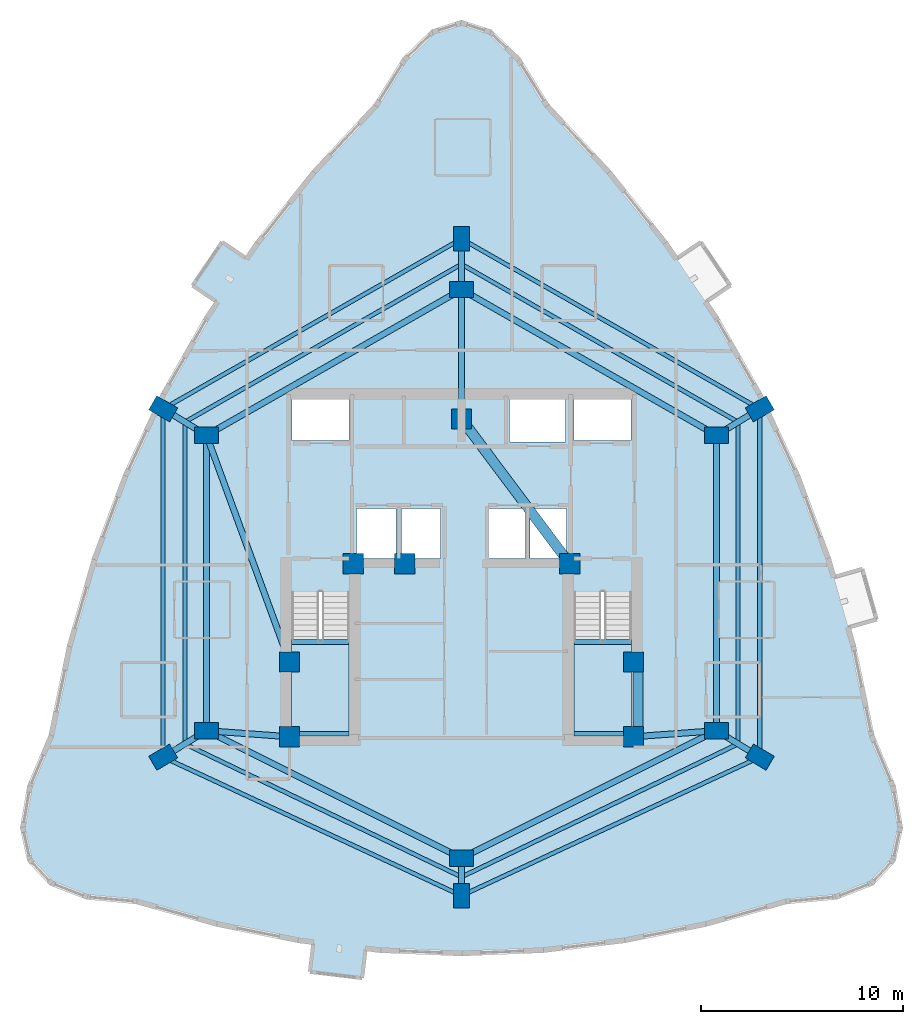
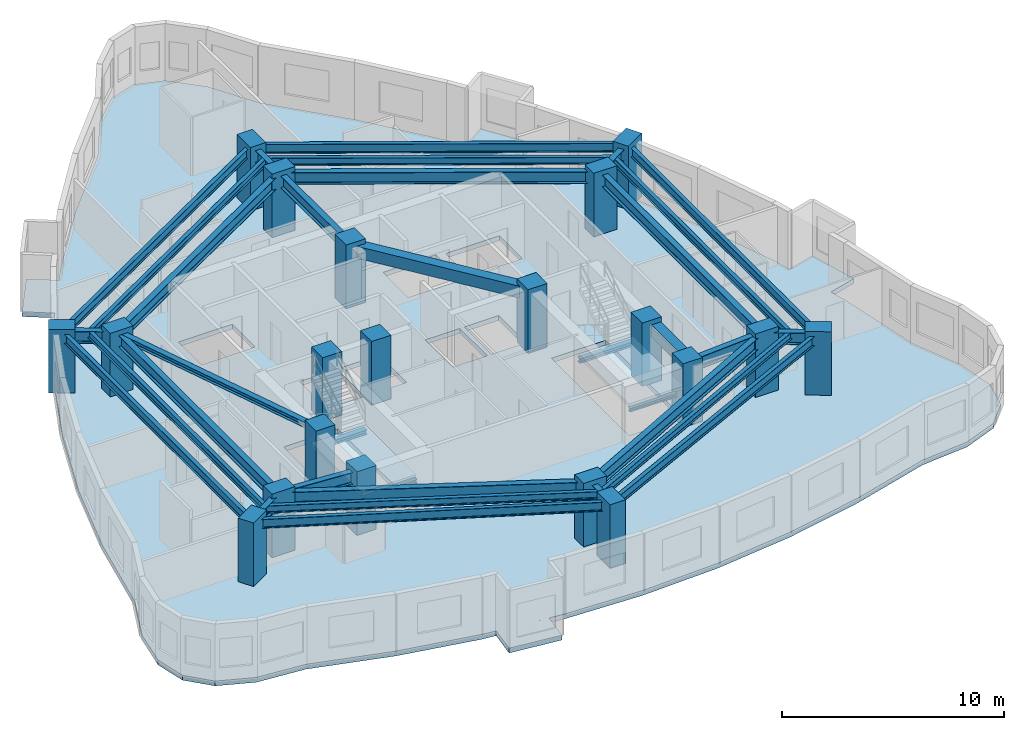
# One storey, part 1 of 9: 34 beams, 20 columns, 3 slabs, 2 elements without a shape of their own.
"""IFC4 building model written with IfcOpenShell, lengths in metres."""

from ifc_helpers import new_model, si_unit, direction, frame, origin, origin_2d, place, context, subcontext, project, spatial, polyline, rectangle, i_section, outline, extrude, material, layer, layer_set, material_profile, profile_set, type_object, element, aggregate, save


model = new_model("IFC4")

# Units and contexts
model_context = context("Model", 3, precision=1e-05, world=origin(), true_north=direction((0.0, 1.0)))
body_context = subcontext(model_context, "Body", "Model", "MODEL_VIEW")
ifc_project = project(units=[si_unit("LENGTHUNIT", "METRE"), si_unit("AREAUNIT", "SQUARE_METRE"), si_unit("VOLUMEUNIT", "CUBIC_METRE"), si_unit("PLANEANGLEUNIT", "RADIAN"), si_unit("MASSUNIT", "GRAM", prefix="KILO")], contexts=[model_context])

# Site, building, storey
site_placement = place(None, origin())
site = spatial("IfcSite", under=ifc_project, at=site_placement, CompositionType="ELEMENT")
building_placement = place(site_placement, origin())
building = spatial("IfcBuilding", under=site, at=building_placement, Name="Miruveldt Soraemaru", CompositionType="ELEMENT")
storey_placement = place(building_placement, frame((0.0, 0.0, 138.89990234375)))
storey = spatial("IfcBuildingStorey", under=building, at=storey_placement, Name="L38", CompositionType="ELEMENT", Elevation=138.89990234375)

# Columns
ifc_material_1 = material(Name="Concrete C60/75 (60 MPa)", Category="concrete")
ifc_material_profile_1 = material_profile(ifc_material_1, rectangle(XDim=1.0, YDim=1.0, at=origin_2d()), Name="Concrete C60/75 (60 MPa)", Category="concrete")
ifc_profile_set_1 = profile_set([ifc_material_profile_1], Name="Concrete C60/75 (60 MPa)")
column_type_1 = type_object("IfcColumnType", Name="COL-CORE-1000", PredefinedType="COLUMN", material=ifc_profile_set_1)
for number, where, z_axis, x_axis, name in (
    (1, (35.5, 35.5, 0.0), (0.0, 0.0, 1.0), (1.0, 0.0, 0.0), "L38 Structural Column CC1"),
    (2, (38.64990234375, 44.050048828125, 0.0), (0.0, 0.0, 1.0), (1.0, 0.0, 0.0), "L38 Structural Column CC2"),
    (3, (52.5, 35.5, 0.0), (0.0, 0.0, 1.0), (1.0, 0.0, 0.0), "L38 Structural Column CC3"),
    (4, (52.5, 39.199951171875, 0.0), (0.0, 0.0, 1.0), (1.0, 0.0, 0.0), "L38 Structural Column CC4"),
    (5, (49.35009765625, 44.050048828125, 0.0), (0.0, 0.0, 1.0), (1.0, 0.0, 0.0), "L38 Structural Column CC5"),
    (6, (44.0, 51.199951171875, 0.0), (0.0, 0.0, 1.0), (1.0, 0.0, 0.0), "L38 Structural Column CC6"),
    (7, (35.5, 39.199951171875, 0.0), (0.0, 0.0, 1.0), (1.0, 0.0, 0.0), "L38 Structural Column CC7"),
    (8, (41.199951171875, 44.050048828125, 0.0), (0.0, 0.0, 1.0), (1.0, 0.0, 0.0), "L38 Structural Column CC8"),
):
    element("IfcColumn", number, at=place(storey_placement, frame(where, z_axis=z_axis, x_axis=x_axis)), inside=storey, type_object=column_type_1, Name=name, PredefinedType="COLUMN", context=body_context, shape_type="SweptSolid", body=[
        extrude(rectangle(XDim=1.0, YDim=1.0, at=origin_2d()), origin(), (0.0, 0.0, 1.0), 3.5),
    ])
ifc_material_2 = material(Name="Concrete C70/85 (70 MPa)", Category="concrete")
ifc_material_profile_2 = material_profile(ifc_material_2, rectangle(XDim=1.199951171875, YDim=0.800048828125, at=origin_2d()), Name="Concrete C70/85 (70 MPa)", Category="concrete")
ifc_profile_set_2 = profile_set([ifc_material_profile_2], Name="Concrete C70/85 (70 MPa)")
column_type_2 = type_object("IfcColumnType", Name="COL-TW-Z2", PredefinedType="COLUMN", material=ifc_profile_set_2)
for number, where, z_axis, x_axis, name in (
    (9, (44.0, 57.60009765625, 0.0), (0.0, 0.0, 1.0), (1.0, 0.0, 0.0), "L38 Structural Column IR01"),
    (10, (56.60009765625, 50.39990234375, 0.0), (0.0, 0.0, 1.0), (1.0, 0.0, 0.0), "L38 Structural Column IR02"),
    (11, (56.60009765625, 35.800048828125, 0.0), (0.0, 0.0, 1.0), (1.0, 0.0, 0.0), "L38 Structural Column IR03"),
    (12, (44.0, 29.5, 0.0), (0.0, 0.0, 1.0), (1.0, 0.0, 0.0), "L38 Structural Column IR04"),
    (13, (31.39990234375, 35.800048828125, 0.0), (0.0, 0.0, 1.0), (1.0, 0.0, 0.0), "L38 Structural Column IR05"),
    (14, (31.39990234375, 50.39990234375, 0.0), (0.0, 0.0, 1.0), (1.0, 0.0, 0.0), "L38 Structural Column IR06"),
    (15, (44.0, 60.10595703125, 0.0), (0.0, 0.0, 1.0), (0.0, 1.0, 0.0), "L38 Structural Column Z2P01"),
    (16, (58.739990234375, 51.705078125, 0.0), (0.0, 0.0, 1.0), (0.866025403784, 0.5, 0.0), "L38 Structural Column Z2P02"),
    (17, (58.739990234375, 34.4951171875, 0.0), (0.0, 0.0, 1.0), (-0.860742027004, 0.50904141575, 0.0), "L38 Structural Column Z2P03"),
    (18, (44.0, 27.64697265625, 0.0), (0.0, 0.0, 1.0), (0.0, 1.0, 0.0), "L38 Structural Column Z2P04"),
    (19, (29.260009765625, 34.4951171875, 0.0), (0.0, 0.0, 1.0), (0.860742027004, 0.50904141575, 0.0), "L38 Structural Column Z2P05"),
    (20, (29.260009765625, 51.705078125, 0.0), (0.0, 0.0, 1.0), (-0.866025403784, 0.5, 0.0), "L38 Structural Column Z2P06"),
):
    element("IfcColumn", number, at=place(storey_placement, frame(where, z_axis=z_axis, x_axis=x_axis)), inside=storey, type_object=column_type_2, Name=name, PredefinedType="COLUMN", context=body_context, shape_type="SweptSolid", body=[
        extrude(rectangle(XDim=1.199951171875, YDim=0.800048828125, at=origin_2d()), origin(), (0.0, 0.0, 1.0), 3.5),
    ])

# Beams
ifc_material_3 = material(Name="Steel SM355 (355 MPa)", Category="steel")
ifc_material_profile_3 = material_profile(ifc_material_3, i_section(OverallWidth=0.300048828125, OverallDepth=0.300048828125, WebThickness=0.010009765625, FlangeThickness=0.014892578125, FilletRadius=0.01806640625, at=origin_2d()), Name="Steel SM355 (355 MPa)", Category="steel")
ifc_profile_set_3 = profile_set([ifc_material_profile_3], Name="Steel SM355 (355 MPa)")
beam_type_1 = type_object("IfcBeamType", Name="BM-LNT-H300", PredefinedType="LINTEL", material=ifc_profile_set_3)
beam_1_placement = place(storey_placement, frame((31.39990234375, 50.39990234375, 3.085205078125), z_axis=(0.343770424598, -0.939053723262, 0.0), x_axis=(0.939053723262, 0.343770424598, 0.0)))
element("IfcBeam", 21, at=beam_1_placement, inside=storey, type_object=beam_type_1, Name="L38 West Lobby Lintel", PredefinedType="LINTEL", context=body_context, shape_type="SweptSolid", body=[
    extrude(i_section(OverallWidth=0.300048828125, OverallDepth=0.300048828125, WebThickness=0.010009765625, FlangeThickness=0.014892578125, FilletRadius=0.01806640625, at=origin_2d()), origin(), (0.0, 0.0, 1.0), 11.9267578125),
])
ifc_material_4 = material(Name="Concrete C50/60 (50 MPa)", Category="concrete")
ifc_material_profile_4 = material_profile(ifc_material_4, rectangle(XDim=0.5, YDim=0.64990234375, at=origin_2d()), Name="Concrete C50/60 (50 MPa)", Category="concrete")
ifc_profile_set_4 = profile_set([ifc_material_profile_4], Name="Concrete C50/60 (50 MPa)")
beam_type_2 = type_object("IfcBeamType", Name="BM-RC-500x650", PredefinedType="BEAM", material=ifc_profile_set_4)
beam_2_placement = place(storey_placement, frame((52.72998046875, 35.5, 2.91015625), z_axis=(0.0, 1.0, 0.0), x_axis=(-1.0, 0.0, 0.0)))
element("IfcBeam", 22, at=beam_2_placement, inside=storey, type_object=beam_type_2, Name="L38 Core Tie Beam 3", PredefinedType="BEAM", context=body_context, shape_type="SweptSolid", body=[
    extrude(rectangle(XDim=0.5, YDim=0.64990234375, at=origin_2d()), origin(), (0.0, 0.0, 1.0), 3.699951171875),
])
beam_3_placement = place(storey_placement, frame((49.35009765625, 44.050048828125, 2.91015625), z_axis=(-0.599116023999, 0.800662219533, 0.0), x_axis=(-0.800662219533, -0.599116023999, 0.0)))
element("IfcBeam", 23, at=beam_3_placement, inside=storey, type_object=beam_type_2, Name="L38 Core Tie Beam 5", PredefinedType="BEAM", context=body_context, shape_type="SweptSolid", body=[
    extrude(rectangle(XDim=0.5, YDim=0.64990234375, at=origin_2d()), origin(), (0.0, 0.0, 1.0), 8.929931640625),
])
ifc_material_profile_5 = material_profile(ifc_material_3, i_section(OverallWidth=0.199951171875, OverallDepth=0.39990234375, WebThickness=0.008056640625, FlangeThickness=0.012939453125, FilletRadius=0.01611328125, at=origin_2d()), Name="Steel SM355 (355 MPa)", Category="steel")
ifc_profile_set_5 = profile_set([ifc_material_profile_5], Name="Steel SM355 (355 MPa)")
beam_type_3 = type_object("IfcBeamType", Name="BM-ST-H400", PredefinedType="JOIST", material=ifc_profile_set_5)
beam_4_placement = place(storey_placement, frame((44.0, 58.85302734375, 3.03515625), z_axis=(0.868539859756, -0.495619321672, 0.0), x_axis=(0.495619321672, 0.868539859756, 0.0)))
element("IfcBeam", 24, at=beam_4_placement, inside=storey, type_object=beam_type_3, Name="L38 Outer Bay Floor Joist 1", PredefinedType="JOIST", context=body_context, shape_type="SweptSolid", body=[
    extrude(i_section(OverallWidth=0.199951171875, OverallDepth=0.39990234375, WebThickness=0.008056640625, FlangeThickness=0.012939453125, FilletRadius=0.01611328125, at=origin_2d()), origin(), (0.0, 0.0, 1.0), 15.739013671875),
])
beam_5_placement = place(storey_placement, frame((57.669921875, 51.052490234375, 3.03515625), z_axis=(0.0, -1.0, 0.0), x_axis=(1.0, 0.0, 0.0)))
element("IfcBeam", 25, at=beam_5_placement, inside=storey, type_object=beam_type_3, Name="L38 Outer Bay Floor Joist 2", PredefinedType="JOIST", context=body_context, shape_type="SweptSolid", body=[
    extrude(i_section(OverallWidth=0.199951171875, OverallDepth=0.39990234375, WebThickness=0.008056640625, FlangeThickness=0.012939453125, FilletRadius=0.01611328125, at=origin_2d()), origin(), (0.0, 0.0, 1.0), 15.905029296875),
])
for number, where, z_axis, x_axis, name in (
    (26, (57.669921875, 35.1474609375, 3.03515625), (-0.901203586802, -0.433396002676, 0.0), (0.433396002676, -0.901203586802, 0.0), "L38 Outer Bay Floor Joist 3"),
    (27, (44.0, 28.573486328125, 3.03515625), (-0.901203586802, 0.433396002676, 0.0), (-0.433396002676, -0.901203586802, 0.0), "L38 Outer Bay Floor Joist 4"),
):
    element("IfcBeam", number, at=place(storey_placement, frame(where, z_axis=z_axis, x_axis=x_axis)), inside=storey, type_object=beam_type_3, Name=name, PredefinedType="JOIST", context=body_context, shape_type="SweptSolid", body=[
        extrude(i_section(OverallWidth=0.199951171875, OverallDepth=0.39990234375, WebThickness=0.008056640625, FlangeThickness=0.012939453125, FilletRadius=0.01611328125, at=origin_2d()), origin(), (0.0, 0.0, 1.0), 15.16845703125),
    ])
beam_6_placement = place(storey_placement, frame((30.330078125, 35.1474609375, 3.03515625), z_axis=(0.0, 1.0, 0.0), x_axis=(-1.0, 0.0, 0.0)))
element("IfcBeam", 28, at=beam_6_placement, inside=storey, type_object=beam_type_3, Name="L38 Outer Bay Floor Joist 5", PredefinedType="JOIST", context=body_context, shape_type="SweptSolid", body=[
    extrude(i_section(OverallWidth=0.199951171875, OverallDepth=0.39990234375, WebThickness=0.008056640625, FlangeThickness=0.012939453125, FilletRadius=0.01611328125, at=origin_2d()), origin(), (0.0, 0.0, 1.0), 15.905029296875),
])
beam_7_placement = place(storey_placement, frame((30.330078125, 51.052490234375, 3.03515625), z_axis=(0.868539859756, 0.495619321672, 0.0), x_axis=(-0.495619321672, 0.868539859756, 0.0)))
element("IfcBeam", 29, at=beam_7_placement, inside=storey, type_object=beam_type_3, Name="L38 Outer Bay Floor Joist 6", PredefinedType="JOIST", context=body_context, shape_type="SweptSolid", body=[
    extrude(i_section(OverallWidth=0.199951171875, OverallDepth=0.39990234375, WebThickness=0.008056640625, FlangeThickness=0.012939453125, FilletRadius=0.01611328125, at=origin_2d()), origin(), (0.0, 0.0, 1.0), 15.739013671875),
])
ifc_material_profile_6 = material_profile(ifc_material_3, i_section(OverallWidth=0.199951171875, OverallDepth=0.5, WebThickness=0.010009765625, FlangeThickness=0.01611328125, FilletRadius=0.02001953125, at=origin_2d()), Name="Steel SM355 (355 MPa)", Category="steel")
ifc_profile_set_6 = profile_set([ifc_material_profile_6], Name="Steel SM355 (355 MPa)")
beam_type_4 = type_object("IfcBeamType", Name="BM-ST-H500", PredefinedType="SPANDREL", material=ifc_profile_set_6)
beam_8_placement = place(storey_placement, frame((44.0, 60.10595703125, 2.985107421875), z_axis=(0.86880048516, -0.495162313778, 0.0), x_axis=(0.495162313778, 0.86880048516, 0.0)))
element("IfcBeam", 30, at=beam_8_placement, inside=storey, type_object=beam_type_4, Name="L38 Zone-2 Spandrel Beam 1", PredefinedType="SPANDREL", context=body_context, shape_type="SweptSolid", body=[
    extrude(i_section(OverallWidth=0.199951171875, OverallDepth=0.5, WebThickness=0.010009765625, FlangeThickness=0.01611328125, FilletRadius=0.02001953125, at=origin_2d()), origin(), (0.0, 0.0, 1.0), 16.9658203125),
])
beam_9_placement = place(storey_placement, frame((58.739990234375, 51.705078125, 2.985107421875), z_axis=(0.0, -1.0, 0.0), x_axis=(1.0, 0.0, 0.0)))
element("IfcBeam", 31, at=beam_9_placement, inside=storey, type_object=beam_type_4, Name="L38 Zone-2 Spandrel Beam 2", PredefinedType="SPANDREL", context=body_context, shape_type="SweptSolid", body=[
    extrude(i_section(OverallWidth=0.199951171875, OverallDepth=0.5, WebThickness=0.010009765625, FlangeThickness=0.01611328125, FilletRadius=0.02001953125, at=origin_2d()), origin(), (0.0, 0.0, 1.0), 17.2099609375),
])
for number, where, z_axis, x_axis, name in (
    (32, (58.739990234375, 34.4951171875, 2.985107421875), (-0.906901362829, -0.421342993414, 0.0), (0.421342993414, -0.906901362829, 0.0), "L38 Zone-2 Spandrel Beam 3"),
    (33, (44.0, 27.64697265625, 2.985107421875), (-0.906901362829, 0.421342993414, 0.0), (-0.421342993414, -0.906901362829, 0.0), "L38 Zone-2 Spandrel Beam 4"),
):
    element("IfcBeam", number, at=place(storey_placement, frame(where, z_axis=z_axis, x_axis=x_axis)), inside=storey, type_object=beam_type_4, Name=name, PredefinedType="SPANDREL", context=body_context, shape_type="SweptSolid", body=[
        extrude(i_section(OverallWidth=0.199951171875, OverallDepth=0.5, WebThickness=0.010009765625, FlangeThickness=0.01611328125, FilletRadius=0.02001953125, at=origin_2d()), origin(), (0.0, 0.0, 1.0), 16.253173828125),
    ])
beam_10_placement = place(storey_placement, frame((29.260009765625, 34.4951171875, 2.985107421875), z_axis=(0.0, 1.0, 0.0), x_axis=(-1.0, 0.0, 0.0)))
element("IfcBeam", 34, at=beam_10_placement, inside=storey, type_object=beam_type_4, Name="L38 Zone-2 Spandrel Beam 5", PredefinedType="SPANDREL", context=body_context, shape_type="SweptSolid", body=[
    extrude(i_section(OverallWidth=0.199951171875, OverallDepth=0.5, WebThickness=0.010009765625, FlangeThickness=0.01611328125, FilletRadius=0.02001953125, at=origin_2d()), origin(), (0.0, 0.0, 1.0), 17.2099609375),
])
beam_11_placement = place(storey_placement, frame((29.260009765625, 51.705078125, 2.985107421875), z_axis=(0.86880048516, 0.495162313778, 0.0), x_axis=(-0.495162313778, 0.86880048516, 0.0)))
element("IfcBeam", 35, at=beam_11_placement, inside=storey, type_object=beam_type_4, Name="L38 Zone-2 Spandrel Beam 6", PredefinedType="SPANDREL", context=body_context, shape_type="SweptSolid", body=[
    extrude(i_section(OverallWidth=0.199951171875, OverallDepth=0.5, WebThickness=0.010009765625, FlangeThickness=0.01611328125, FilletRadius=0.02001953125, at=origin_2d()), origin(), (0.0, 0.0, 1.0), 16.9658203125),
])
ifc_material_profile_7 = material_profile(ifc_material_3, i_section(OverallWidth=0.300048828125, OverallDepth=0.64990234375, WebThickness=0.012939453125, FlangeThickness=0.02197265625, FilletRadius=0.02587890625, at=origin_2d()), Name="Steel SM355 (355 MPa)", Category="steel")
ifc_profile_set_7 = profile_set([ifc_material_profile_7], Name="Steel SM355 (355 MPa)")
beam_type_5 = type_object("IfcBeamType", Name="BM-ST-H650", PredefinedType="BEAM", material=ifc_profile_set_7)
beam_12_placement = place(storey_placement, frame((44.0, 57.60009765625, 2.91015625), z_axis=(0.868239001029, -0.496146185203, 0.0), x_axis=(0.496146185203, 0.868239001029, 0.0)))
element("IfcBeam", 36, at=beam_12_placement, inside=storey, type_object=beam_type_5, Name="L38 Inner Ring Girder 1", PredefinedType="BEAM", context=body_context, shape_type="SweptSolid", body=[
    extrude(i_section(OverallWidth=0.300048828125, OverallDepth=0.64990234375, WebThickness=0.012939453125, FlangeThickness=0.02197265625, FilletRadius=0.02587890625, at=origin_2d()), origin(), (0.0, 0.0, 1.0), 14.51220703125),
])
beam_13_placement = place(storey_placement, frame((44.0, 51.199951171875, 2.91015625), z_axis=(0.0, 1.0, 0.0), x_axis=(-1.0, 0.0, 0.0)))
element("IfcBeam", 37, at=beam_13_placement, inside=storey, type_object=beam_type_5, Name="L38 Core-to-Inner Radial Girder 1", PredefinedType="BEAM", context=body_context, shape_type="SweptSolid", body=[
    extrude(i_section(OverallWidth=0.300048828125, OverallDepth=0.64990234375, WebThickness=0.012939453125, FlangeThickness=0.02197265625, FilletRadius=0.02587890625, at=origin_2d()), origin(), (0.0, 0.0, 1.0), 6.400146484375),
])
beam_14_placement = place(storey_placement, frame((56.60009765625, 50.39990234375, 2.91015625), z_axis=(0.0, -1.0, 0.0), x_axis=(1.0, 0.0, 0.0)))
element("IfcBeam", 38, at=beam_14_placement, inside=storey, type_object=beam_type_5, Name="L38 Inner Ring Girder 2", PredefinedType="BEAM", context=body_context, shape_type="SweptSolid", body=[
    extrude(i_section(OverallWidth=0.300048828125, OverallDepth=0.64990234375, WebThickness=0.012939453125, FlangeThickness=0.02197265625, FilletRadius=0.02587890625, at=origin_2d()), origin(), (0.0, 0.0, 1.0), 14.599853515625),
])
beam_15_placement = place(storey_placement, frame((56.60009765625, 35.800048828125, 2.91015625), z_axis=(-0.894427191, -0.4472135955, 0.0), x_axis=(0.4472135955, -0.894427191, 0.0)))
element("IfcBeam", 39, at=beam_15_placement, inside=storey, type_object=beam_type_5, Name="L38 Inner Ring Girder 3", PredefinedType="BEAM", context=body_context, shape_type="SweptSolid", body=[
    extrude(i_section(OverallWidth=0.300048828125, OverallDepth=0.64990234375, WebThickness=0.012939453125, FlangeThickness=0.02197265625, FilletRadius=0.02587890625, at=origin_2d()), origin(), (0.0, 0.0, 1.0), 14.08740234375),
])
beam_16_placement = place(storey_placement, frame((52.5, 35.5, 2.91015625), z_axis=(0.997332985605, 0.072985723431, 0.0), x_axis=(-0.072985723431, 0.997332985605, 0.0)))
element("IfcBeam", 40, at=beam_16_placement, inside=storey, type_object=beam_type_5, Name="L38 Core-to-Inner Radial Girder 3", PredefinedType="BEAM", context=body_context, shape_type="SweptSolid", body=[
    extrude(i_section(OverallWidth=0.300048828125, OverallDepth=0.64990234375, WebThickness=0.012939453125, FlangeThickness=0.02197265625, FilletRadius=0.02587890625, at=origin_2d()), origin(), (0.0, 0.0, 1.0), 4.111083984375),
])
beam_17_placement = place(storey_placement, frame((44.0, 29.5, 2.91015625), z_axis=(-0.894427191, 0.4472135955, 0.0), x_axis=(-0.4472135955, -0.894427191, 0.0)))
element("IfcBeam", 41, at=beam_17_placement, inside=storey, type_object=beam_type_5, Name="L38 Inner Ring Girder 4", PredefinedType="BEAM", context=body_context, shape_type="SweptSolid", body=[
    extrude(i_section(OverallWidth=0.300048828125, OverallDepth=0.64990234375, WebThickness=0.012939453125, FlangeThickness=0.02197265625, FilletRadius=0.02587890625, at=origin_2d()), origin(), (0.0, 0.0, 1.0), 14.08740234375),
])
beam_18_placement = place(storey_placement, frame((31.39990234375, 35.800048828125, 2.91015625), z_axis=(0.0, 1.0, 0.0), x_axis=(-1.0, 0.0, 0.0)))
element("IfcBeam", 42, at=beam_18_placement, inside=storey, type_object=beam_type_5, Name="L38 Inner Ring Girder 5", PredefinedType="BEAM", context=body_context, shape_type="SweptSolid", body=[
    extrude(i_section(OverallWidth=0.300048828125, OverallDepth=0.64990234375, WebThickness=0.012939453125, FlangeThickness=0.02197265625, FilletRadius=0.02587890625, at=origin_2d()), origin(), (0.0, 0.0, 1.0), 14.599853515625),
])
beam_19_placement = place(storey_placement, frame((35.5, 35.5, 2.91015625), z_axis=(-0.997332985605, 0.072985723431, 0.0), x_axis=(-0.072985723431, -0.997332985605, 0.0)))
element("IfcBeam", 43, at=beam_19_placement, inside=storey, type_object=beam_type_5, Name="L38 Core-to-Inner Radial Girder 5", PredefinedType="BEAM", context=body_context, shape_type="SweptSolid", body=[
    extrude(i_section(OverallWidth=0.300048828125, OverallDepth=0.64990234375, WebThickness=0.012939453125, FlangeThickness=0.02197265625, FilletRadius=0.02587890625, at=origin_2d()), origin(), (0.0, 0.0, 1.0), 4.111083984375),
])
beam_20_placement = place(storey_placement, frame((31.39990234375, 50.39990234375, 2.91015625), z_axis=(0.868239001029, 0.496146185203, 0.0), x_axis=(-0.496146185203, 0.868239001029, 0.0)))
element("IfcBeam", 44, at=beam_20_placement, inside=storey, type_object=beam_type_5, Name="L38 Inner Ring Girder 6", PredefinedType="BEAM", context=body_context, shape_type="SweptSolid", body=[
    extrude(i_section(OverallWidth=0.300048828125, OverallDepth=0.64990234375, WebThickness=0.012939453125, FlangeThickness=0.02197265625, FilletRadius=0.02587890625, at=origin_2d()), origin(), (0.0, 0.0, 1.0), 14.51220703125),
])
beam_21_placement = place(storey_placement, frame((44.0, 57.60009765625, 2.91015625), z_axis=(0.0, 1.0, 0.0), x_axis=(-1.0, 0.0, 0.0)))
element("IfcBeam", 45, at=beam_21_placement, inside=storey, type_object=beam_type_5, Name="L38 Zone-2 Radial Girder 1", PredefinedType="BEAM", context=body_context, shape_type="SweptSolid", body=[
    extrude(i_section(OverallWidth=0.300048828125, OverallDepth=0.64990234375, WebThickness=0.012939453125, FlangeThickness=0.02197265625, FilletRadius=0.02587890625, at=origin_2d()), origin(), (0.0, 0.0, 1.0), 2.505859375),
])
beam_22_placement = place(storey_placement, frame((56.60009765625, 50.39990234375, 2.91015625), z_axis=(0.85373175529, 0.520713059188, 0.0), x_axis=(-0.520713059188, 0.85373175529, 0.0)))
element("IfcBeam", 46, at=beam_22_placement, inside=storey, type_object=beam_type_5, Name="L38 Zone-2 Radial Girder 2", PredefinedType="BEAM", context=body_context, shape_type="SweptSolid", body=[
    extrude(i_section(OverallWidth=0.300048828125, OverallDepth=0.64990234375, WebThickness=0.012939453125, FlangeThickness=0.02197265625, FilletRadius=0.02587890625, at=origin_2d()), origin(), (0.0, 0.0, 1.0), 2.506591796875),
])
beam_23_placement = place(storey_placement, frame((56.60009765625, 35.800048828125, 2.91015625), z_axis=(0.853775054686, -0.5206420613, 0.0), x_axis=(0.5206420613, 0.853775054686, 0.0)))
element("IfcBeam", 47, at=beam_23_placement, inside=storey, type_object=beam_type_5, Name="L38 Zone-2 Radial Girder 3", PredefinedType="BEAM", context=body_context, shape_type="SweptSolid", body=[
    extrude(i_section(OverallWidth=0.300048828125, OverallDepth=0.64990234375, WebThickness=0.012939453125, FlangeThickness=0.02197265625, FilletRadius=0.02587890625, at=origin_2d()), origin(), (0.0, 0.0, 1.0), 2.50634765625),
])
beam_24_placement = place(storey_placement, frame((44.0, 29.5, 2.91015625), z_axis=(0.0, -1.0, 0.0), x_axis=(1.0, 0.0, 0.0)))
element("IfcBeam", 48, at=beam_24_placement, inside=storey, type_object=beam_type_5, Name="L38 Zone-2 Radial Girder 4", PredefinedType="BEAM", context=body_context, shape_type="SweptSolid", body=[
    extrude(i_section(OverallWidth=0.300048828125, OverallDepth=0.64990234375, WebThickness=0.012939453125, FlangeThickness=0.02197265625, FilletRadius=0.02587890625, at=origin_2d()), origin(), (0.0, 0.0, 1.0), 1.85302734375),
])
beam_25_placement = place(storey_placement, frame((31.39990234375, 35.800048828125, 2.91015625), z_axis=(-0.853775054686, -0.5206420613, 0.0), x_axis=(0.5206420613, -0.853775054686, 0.0)))
element("IfcBeam", 49, at=beam_25_placement, inside=storey, type_object=beam_type_5, Name="L38 Zone-2 Radial Girder 5", PredefinedType="BEAM", context=body_context, shape_type="SweptSolid", body=[
    extrude(i_section(OverallWidth=0.300048828125, OverallDepth=0.64990234375, WebThickness=0.012939453125, FlangeThickness=0.02197265625, FilletRadius=0.02587890625, at=origin_2d()), origin(), (0.0, 0.0, 1.0), 2.50634765625),
])
beam_26_placement = place(storey_placement, frame((31.39990234375, 50.39990234375, 2.91015625), z_axis=(-0.85373175529, 0.520713059188, 0.0), x_axis=(-0.520713059188, -0.85373175529, 0.0)))
element("IfcBeam", 50, at=beam_26_placement, inside=storey, type_object=beam_type_5, Name="L38 Zone-2 Radial Girder 6", PredefinedType="BEAM", context=body_context, shape_type="SweptSolid", body=[
    extrude(i_section(OverallWidth=0.300048828125, OverallDepth=0.64990234375, WebThickness=0.012939453125, FlangeThickness=0.02197265625, FilletRadius=0.02587890625, at=origin_2d()), origin(), (0.0, 0.0, 1.0), 2.506591796875),
])
ifc_material_profile_8 = material_profile(ifc_material_3, i_section(OverallWidth=0.199951171875, OverallDepth=0.199951171875, WebThickness=0.008056640625, FlangeThickness=0.011962890625, FilletRadius=0.012939453125, at=origin_2d()), Name="Steel SM355 (355 MPa)", Category="steel")
ifc_profile_set_8 = profile_set([ifc_material_profile_8], Name="Steel SM355 (355 MPa)")
beam_type_6 = type_object("IfcBeamType", Name="BM-ST-LND200", PredefinedType="BEAM", material=ifc_profile_set_8)
for number, where, z_axis, x_axis, name in (
    (51, (35.60009765625, 35.64990234375, 1.4501953125), (1.0, 0.0, 0.0), (0.0, 1.0, 0.0), "L38 ST1 Landing End Beam 1B"),
    (52, (49.550048828125, 35.64990234375, 1.4501953125), (1.0, 0.0, 0.0), (0.0, 1.0, 0.0), "L38 ST2 Landing End Beam 1B"),
):
    element("IfcBeam", number, at=place(storey_placement, frame(where, z_axis=z_axis, x_axis=x_axis)), inside=storey, type_object=beam_type_6, Name=name, PredefinedType="BEAM", context=body_context, shape_type="SweptSolid", body=[
        extrude(i_section(OverallWidth=0.199951171875, OverallDepth=0.199951171875, WebThickness=0.008056640625, FlangeThickness=0.011962890625, FilletRadius=0.012939453125, at=origin_2d()), origin(), (0.0, 0.0, 1.0), 2.849853515625),
    ])
ifc_material_profile_9 = material_profile(ifc_material_3, i_section(OverallWidth=0.25, OverallDepth=0.25, WebThickness=0.009033203125, FlangeThickness=0.013916015625, FilletRadius=0.01611328125, at=origin_2d()), Name="Steel SM355 (355 MPa)", Category="steel")
ifc_profile_set_9 = profile_set([ifc_material_profile_9], Name="Steel SM355 (355 MPa)")
beam_type_7 = type_object("IfcBeamType", Name="BM-ST-LND250", PredefinedType="BEAM", material=ifc_profile_set_9)
for number, where, z_axis, x_axis, name in (
    (53, (35.60009765625, 40.179931640625, 1.425048828125), (1.0, 0.0, 0.0), (0.0, 1.0, 0.0), "L38 ST1 Landing Support Beam 1A"),
    (54, (49.550048828125, 40.179931640625, 1.425048828125), (1.0, 0.0, 0.0), (0.0, 1.0, 0.0), "L38 ST2 Landing Support Beam 1A"),
):
    element("IfcBeam", number, at=place(storey_placement, frame(where, z_axis=z_axis, x_axis=x_axis)), inside=storey, type_object=beam_type_7, Name=name, PredefinedType="BEAM", context=body_context, shape_type="SweptSolid", body=[
        extrude(i_section(OverallWidth=0.25, OverallDepth=0.25, WebThickness=0.009033203125, FlangeThickness=0.013916015625, FilletRadius=0.01611328125, at=origin_2d()), origin(), (0.0, 0.0, 1.0), 2.849853515625),
    ])

# Stair, slab
ifc_material_5 = material(Name="Concrete C40/50 (40 MPa)", Category="concrete")
stair_type = type_object("IfcStairType", Name="STAIR-DL-350", PredefinedType="HALF_TURN_STAIR", material=ifc_material_5)
stair_1_placement = place(storey_placement, origin())
stair_1 = element("IfcStair", 55, at=stair_1_placement, inside=storey, type_object=stair_type, Name="L38 Protected Exit Stair ST-1", PredefinedType="HALF_TURN_STAIR")
ifc_layer_1 = layer(ifc_material_5, 0.199951171875, Name="Concrete C40/50 (40 MPa)", Category="concrete")
ifc_layer_set_1 = layer_set([ifc_layer_1], Name="Concrete C40/50 (40 MPa)")
slab_type_1 = type_object("IfcSlabType", Name="SLAB-LAND-200", PredefinedType="LANDING", material=ifc_layer_set_1)
slab_1_placement = place(storey_placement, frame((0.0, 0.0, 1.550048828125)))
slab_1 = element("IfcSlab", 56, at=slab_1_placement, type_object=slab_type_1, Name="ST-1 landing 1", PredefinedType="LANDING", context=body_context, shape_type="SweptSolid", body=[
    extrude(outline(polyline([(35.60009765625, 40.197998046875), (35.60009765625, 35.64990234375), (38.449951171875, 35.64990234375), (38.449951171875, 40.197998046875), (35.60009765625, 40.197998046875)])), origin(), (0.0, 0.0, 1.0), 0.199951171875),
])
aggregate(stair_1, [slab_1])

stair_2_placement = place(storey_placement, origin())
stair_2 = element("IfcStair", 57, at=stair_2_placement, inside=storey, type_object=stair_type, Name="L38 Protected Exit Stair ST-2", PredefinedType="HALF_TURN_STAIR")
slab_2_placement = place(storey_placement, frame((0.0, 0.0, 1.550048828125)))
slab_2 = element("IfcSlab", 58, at=slab_2_placement, type_object=slab_type_1, Name="ST-2 landing 1", PredefinedType="LANDING", context=body_context, shape_type="SweptSolid", body=[
    extrude(outline(polyline([(49.550048828125, 40.197998046875), (49.550048828125, 35.64990234375), (52.39990234375, 35.64990234375), (52.39990234375, 40.197998046875), (49.550048828125, 40.197998046875)])), origin(), (0.0, 0.0, 1.0), 0.199951171875),
])
aggregate(stair_2, [slab_2])

# Slab
ifc_layer_2 = layer(ifc_material_5, 0.264892578125, Name="Concrete C40/50 (40 MPa)", Category="concrete")
ifc_layer_set_2 = layer_set([ifc_layer_2], Name="Concrete C40/50 (40 MPa)")
slab_type_2 = type_object("IfcSlabType", Name="SLAB-RES2-265", PredefinedType="FLOOR", material=ifc_layer_set_2)
slab_3_placement = place(storey_placement, frame((0.0, 0.0, -0.264892578125)))
element("IfcSlab", 59, at=slab_3_placement, inside=storey, type_object=slab_type_2, Name="L38 Structural Floor Slab", PredefinedType="FLOOR", context=body_context, shape_type="SweptSolid", body=[
    extrude(outline(polyline([(36.508056640625, 23.88427734375), (36.684326171875, 25.353759765625), (35.966796875, 25.43994140625), (31.9501953125, 26.2431640625), (27.93359375, 27.367919921875), (25.478515625, 27.594482421875), (23.724853515625, 28.27490234375), (22.672607421875, 29.408935546875), (22.322021484375, 30.99658203125), (22.672607421875, 33.03759765625), (23.724853515625, 35.532470703125), (24.64208984375, 39.99072265625), (25.871337890625, 44.288330078125), (27.412109375, 48.42529296875), (29.2646484375, 52.4013671875), (31.4287109375, 56.217041015625), (31.9375, 56.968017578125), (30.71240234375, 57.798095703125), (32.17041015625, 59.95068359375), (33.395751953125, 59.120849609375), (32.666748046875, 58.04443359375), (33.904541015625, 59.871826171875), (36.69189453125, 63.3662109375), (39.791259765625, 66.69970703125), (41.194091796875, 68.967529296875), (42.59716796875, 70.328369140625), (44.0, 70.781982421875), (45.40283203125, 70.328369140625), (46.805908203125, 68.967529296875), (48.208740234375, 66.69970703125), (51.30810546875, 63.3662109375), (54.095458984375, 59.871826171875), (55.333251953125, 58.04443359375), (54.604248046875, 59.120849609375), (55.82958984375, 59.95068359375), (57.28759765625, 57.798095703125), (56.0625, 56.968017578125), (56.5712890625, 56.217041015625), (58.7353515625, 52.4013671875), (60.587890625, 48.42529296875), (62.128662109375, 44.288330078125), (62.3857421875, 43.389404296875), (63.80859375, 43.79638671875), (64.523681640625, 41.296630859375), (63.1005859375, 40.8896484375), (62.7431640625, 42.139404296875), (63.35791015625, 39.99072265625), (64.275146484375, 35.532470703125), (65.327392578125, 33.03759765625), (65.677978515625, 30.99658203125), (65.327392578125, 29.408935546875), (64.275146484375, 28.27490234375), (62.521484375, 27.594482421875), (60.06640625, 27.367919921875), (56.0498046875, 26.2431640625), (52.033203125, 25.43994140625), (48.0166015625, 24.9580078125), (44.0, 24.797119140625), (39.9833984375, 24.9580078125), (37.97509765625, 25.198974609375), (39.265869140625, 25.0439453125), (39.089599609375, 23.574462890625), (36.508056640625, 23.88427734375)]), holes=[polyline([(35.614990234375, 35.6650390625), (38.43505859375, 35.6650390625), (38.43505859375, 42.68505859375), (35.614990234375, 42.68505859375), (35.614990234375, 35.6650390625)]), polyline([(49.56494140625, 35.6650390625), (52.385009765625, 35.6650390625), (52.385009765625, 42.68505859375), (49.56494140625, 42.68505859375), (49.56494140625, 35.6650390625)]), polyline([(40.764892578125, 44.31494140625), (40.764892578125, 46.784912109375), (38.81494140625, 46.784912109375), (38.81494140625, 44.31494140625), (40.764892578125, 44.31494140625)]), polyline([(42.965087890625, 44.31494140625), (42.965087890625, 46.784912109375), (41.034912109375, 46.784912109375), (41.034912109375, 44.31494140625), (42.965087890625, 44.31494140625)]), polyline([(47.1650390625, 44.31494140625), (47.1650390625, 46.784912109375), (45.364990234375, 46.784912109375), (45.364990234375, 44.31494140625), (47.1650390625, 44.31494140625)]), polyline([(49.18505859375, 44.31494140625), (49.18505859375, 46.784912109375), (47.39501953125, 46.784912109375), (47.39501953125, 44.31494140625), (49.18505859375, 44.31494140625)]), polyline([(38.445068359375, 50.135009765625), (38.445068359375, 52.205078125), (35.635009765625, 52.205078125), (35.635009765625, 50.135009765625), (38.445068359375, 50.135009765625)]), polyline([(49.554931640625, 50.135009765625), (52.364990234375, 50.135009765625), (52.364990234375, 52.205078125), (49.554931640625, 52.205078125), (49.554931640625, 50.135009765625)]), polyline([(46.364990234375, 50.06494140625), (49.135009765625, 50.06494140625), (49.135009765625, 52.3349609375), (46.364990234375, 52.3349609375), (46.364990234375, 50.06494140625)])]), origin(), (0.0, 0.0, 1.0), 0.264892578125),
])

save(model, "model.ifc")
